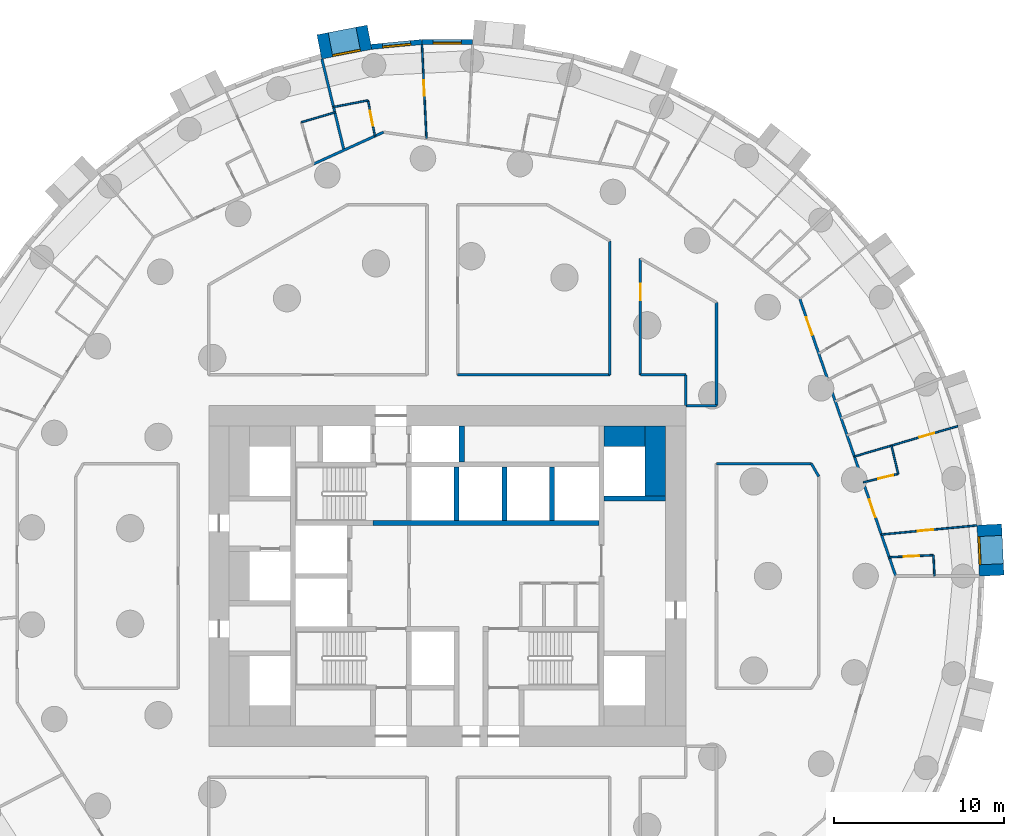
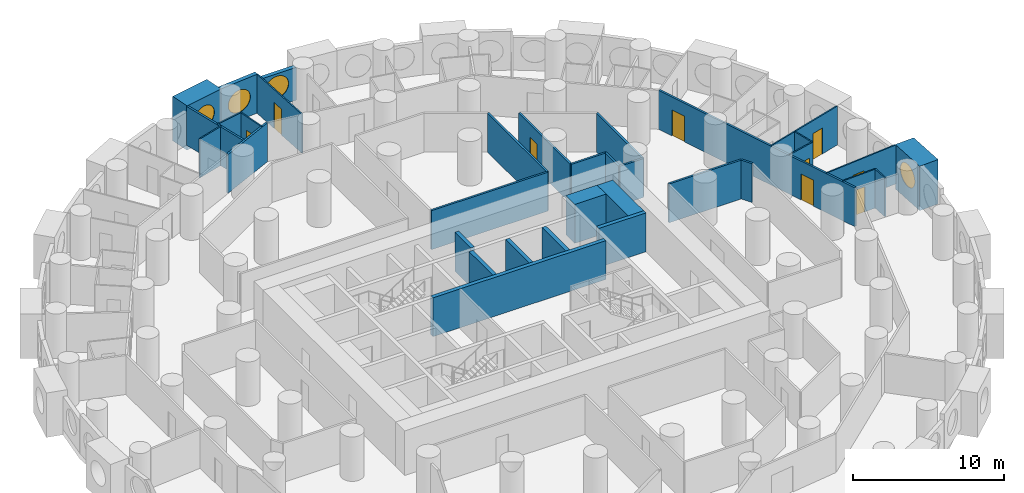
# One storey, part 8 of 12: 35 walls, 9 doors, 4 windows, 13 openings.
"""IFC4 building model written with IfcOpenShell, lengths in metres."""

from ifc_helpers import new_model, si_unit, direction, frame, frame_2d, origin, origin_2d, place, context, subcontext, project, spatial, rectangle, circle, extrude, material, layer, layer_set, type_object, element, fill, save


model = new_model("IFC4")

# Units and contexts
model_context = context("Model", 3, precision=1e-05, world=origin(), true_north=direction((0.0, 1.0)))
body_context = subcontext(model_context, "Body", "Model", "MODEL_VIEW")
ifc_project = project(units=[si_unit("LENGTHUNIT", "METRE"), si_unit("AREAUNIT", "SQUARE_METRE"), si_unit("VOLUMEUNIT", "CUBIC_METRE"), si_unit("PLANEANGLEUNIT", "RADIAN"), si_unit("MASSUNIT", "GRAM", prefix="KILO")], contexts=[model_context])

# Site, building, storey
site_placement = place(None, origin())
site = spatial("IfcSite", under=ifc_project, at=site_placement, CompositionType="ELEMENT")
building_placement = place(site_placement, origin())
building = spatial("IfcBuilding", under=site, at=building_placement, Name="Tracery Tower", CompositionType="ELEMENT")
storey_placement = place(building_placement, frame((0.0, 0.0, 42.60009765625)))
storey = spatial("IfcBuildingStorey", under=building, at=storey_placement, Name="L09", CompositionType="ELEMENT", Elevation=42.60009765625)

# Walls
ifc_material_1 = material(Name="Concrete C60/75", Category="concrete")
ifc_layer_1 = layer(ifc_material_1, 1.199951171875)
ifc_layer_set_1 = layer_set([ifc_layer_1], Name="Core strip wall 1200 C60")
wall_type_1 = type_object("IfcWallType", Name="Core strip wall 1200 C60", PredefinedType="SOLIDWALL", material=ifc_layer_set_1)
wall_1_placement = place(storey_placement, frame((12.199951171875, 4.699951171875, 0.0), z_axis=(0.0, 0.0, 1.0), x_axis=(0.0, 1.0, 0.0)))
element("IfcWall", 1, at=wall_1_placement, inside=storey, type_object=wall_type_1, Name="L09 wing strip +1 4.55", PredefinedType="SOLIDWALL", context=body_context, shape_type="SweptSolid", body=[
    extrude(rectangle(XDim=4.10009765625, YDim=1.199951171875, at=frame_2d((2.050048828125, 0.0))), origin(), (0.0, 0.0, 1.0), 3.14990234375),
])
wall_2_placement = place(storey_placement, frame((9.199951171875, 8.199951171875, 0.0), z_axis=(0.0, 0.0, 1.0), x_axis=(1.0, 0.0, 0.0)))
element("IfcWall", 2, at=wall_2_placement, inside=storey, type_object=wall_type_1, Name="L09 wing corner +1 +8.2", PredefinedType="SOLIDWALL", context=body_context, shape_type="SweptSolid", body=[
    extrude(rectangle(XDim=2.400146484375, YDim=1.199951171875, at=frame_2d((1.2001953125, 0.0))), origin(), (0.0, 0.0, 1.0), 3.14990234375),
])

# Wall, opening, window
ifc_material_2 = material(Name="Precast concrete C50/60", Category="concrete")
ifc_layer_2 = layer(ifc_material_2, 1.449951171875)
ifc_layer_set_2 = layer_set([ifc_layer_2], Name="Deep-set bay unit 3000 x 3600, slab edge 450")
wall_type_2 = type_object("IfcWallType", Name="Deep-set bay unit 3000 x 3600, slab edge 450", PredefinedType="ELEMENTEDWALL", material=ifc_layer_set_2)
wall_3_placement = place(storey_placement, frame((31.94921875, 0.020263671875, -0.4501953125), z_axis=(0.0, 0.0, 1.0), x_axis=(-0.047607680889, 0.998866111509, 0.0)))
wall_3 = element("IfcWall", 3, at=wall_3_placement, inside=storey, type_object=wall_type_2, Name="Deep-set bay unit 1 at L09", PredefinedType="ELEMENTEDWALL", context=body_context, shape_type="SweptSolid", body=[
    extrude(rectangle(XDim=3.0, YDim=1.449951171875, at=frame_2d((1.5, 0.0))), origin(), (0.0, 0.0, 1.0), 3.60009765625),
])
opening_1_placement = place(wall_3_placement, frame((1.5, 0.0, 2.0)))
opening_1 = element("IfcOpeningElement", 4, at=opening_1_placement, cuts=wall_3, Name="Opening WN1", PredefinedType="OPENING", context=body_context, shape_type="SweptSolid", body=[
    extrude(circle(Radius=0.9000244140625, at=origin_2d()), frame((0.0, 0.73486328125, 0.0), z_axis=(0.0, -1.0, 0.0), x_axis=(1.0, 0.0, 0.0)), (0.0, 0.0, 1.0), 1.469970703125),
])
ifc_material_3 = material(Name="Aluminium frame with tinted double glazing", Category="aluminium")
window_type = type_object("IfcWindowType", Name="Round window 1800", PartitioningType="SINGLE_PANEL", PredefinedType="WINDOW", material=ifc_material_3)
window_1_placement = place(opening_1_placement, origin())
window_1 = element("IfcWindow", 5, at=window_1_placement, inside=storey, type_object=window_type, Name="Round window 1 at L09", OverallHeight=1.800048828125, OverallWidth=1.800048828125, PartitioningType="SINGLE_PANEL", PredefinedType="WINDOW", context=body_context, shape_type="SweptSolid", body=[
    extrude(circle(Radius=0.9000244140625, at=origin_2d()), frame((0.0, 0.69482421875, 0.0), z_axis=(0.0, -1.0, 0.0), x_axis=(1.0, 0.0, 0.0)), (0.0, 0.0, 1.0), 0.10009765625),
])
fill(opening_1, window_1)

wall_4_placement = place(storey_placement, frame((-4.56689453125, 31.62109375, -0.4501953125), z_axis=(0.0, 0.0, 1.0), x_axis=(-0.981921602273, -0.189288052949, 0.0)))
wall_4 = element("IfcWall", 6, at=wall_4_placement, inside=storey, type_object=wall_type_2, Name="Deep-set bay unit 19 at L09", PredefinedType="ELEMENTEDWALL", context=body_context, shape_type="SweptSolid", body=[
    extrude(rectangle(XDim=3.0, YDim=1.449951171875, at=frame_2d((1.5, 0.0))), origin(), (0.0, 0.0, 1.0), 3.60009765625),
])
opening_2_placement = place(wall_4_placement, frame((1.5, 0.0, 2.0)))
opening_2 = element("IfcOpeningElement", 7, at=opening_2_placement, cuts=wall_4, Name="Opening WN1", PredefinedType="OPENING", context=body_context, shape_type="SweptSolid", body=[
    extrude(circle(Radius=0.9000244140625, at=origin_2d()), frame((0.0, 0.73486328125, 0.0), z_axis=(0.0, -1.0, 0.0), x_axis=(1.0, 0.0, 0.0)), (0.0, 0.0, 1.0), 1.469970703125),
])
window_2_placement = place(opening_2_placement, origin())
window_2 = element("IfcWindow", 8, at=window_2_placement, inside=storey, type_object=window_type, Name="Round window 19 at L09", OverallHeight=1.800048828125, OverallWidth=1.800048828125, PartitioningType="SINGLE_PANEL", PredefinedType="WINDOW", context=body_context, shape_type="SweptSolid", body=[
    extrude(circle(Radius=0.9000244140625, at=origin_2d()), frame((0.0, 0.69482421875, 0.0), z_axis=(0.0, -1.0, 0.0), x_axis=(1.0, 0.0, 0.0)), (0.0, 0.0, 1.0), 0.10009765625),
])
fill(opening_2, window_2)

ifc_material_4 = material(Name="Precast concrete C50/60", Category="concrete")
ifc_layer_3 = layer(ifc_material_4, 0.300048828125)
ifc_layer_set_3 = layer_set([ifc_layer_3], Name="Facade panel 3000 x 2650")
wall_type_3 = type_object("IfcWallType", Name="Facade panel 3000 x 2650", PredefinedType="SOLIDWALL", material=ifc_layer_set_3)
wall_5_placement = place(storey_placement, frame((1.48681640625, 31.3388671875, 0.0), z_axis=(0.0, 0.0, 1.0), x_axis=(-1.0, 0.0, 0.0)))
wall_5 = element("IfcWall", 9, at=wall_5_placement, inside=storey, type_object=wall_type_3, Name="Facade panel 17 at L09", PredefinedType="SOLIDWALL", context=body_context, shape_type="SweptSolid", body=[
    extrude(rectangle(XDim=2.979736328125, YDim=0.300048828125, at=frame_2d((1.48974609375, 0.0))), origin(), (0.0, 0.0, 1.0), 2.64990234375),
])
opening_3_placement = place(wall_5_placement, frame((1.48974609375, 0.0, 1.5498046875)))
opening_3 = element("IfcOpeningElement", 10, at=opening_3_placement, cuts=wall_5, Name="Opening WN1", PredefinedType="OPENING", context=body_context, shape_type="SweptSolid", body=[
    extrude(circle(Radius=0.9000244140625, at=origin_2d()), frame((0.0, 0.159912109375, 0.0), z_axis=(0.0, -1.0, 0.0), x_axis=(1.0, 0.0, 0.0)), (0.0, 0.0, 1.0), 0.320068359375),
])
window_3_placement = place(opening_3_placement, origin())
window_3 = element("IfcWindow", 11, at=window_3_placement, inside=storey, type_object=window_type, Name="Round window 17 at L09", OverallHeight=1.800048828125, OverallWidth=1.800048828125, PartitioningType="SINGLE_PANEL", PredefinedType="WINDOW", context=body_context, shape_type="SweptSolid", body=[
    extrude(circle(Radius=0.9000244140625, at=origin_2d()), frame((0.0, 0.1201171875, 0.0), z_axis=(0.0, -1.0, 0.0), x_axis=(1.0, 0.0, 0.0)), (0.0, 0.0, 1.0), 0.10009765625),
])
fill(opening_3, window_3)

ifc_material_5 = material(Name="Precast concrete C50/60", Category="concrete")
ifc_layer_4 = layer(ifc_material_5, 0.300048828125)
ifc_layer_set_4 = layer_set([ifc_layer_4], Name="Facade panel 3000 x 3150")
wall_type_4 = type_object("IfcWallType", Name="Facade panel 3000 x 3150", PredefinedType="SOLIDWALL", material=ifc_layer_set_4)
wall_6_placement = place(storey_placement, frame((-1.492919921875, 31.3388671875, 0.0), z_axis=(0.0, 0.0, 1.0), x_axis=(-0.995472611385, -0.095048829468, 0.0)))
wall_6 = element("IfcWall", 12, at=wall_6_placement, inside=storey, type_object=wall_type_4, Name="Facade panel 18 at L09", PredefinedType="SOLIDWALL", context=body_context, shape_type="SweptSolid", body=[
    extrude(rectangle(XDim=2.9794921875, YDim=0.300048828125, at=frame_2d((1.48974609375, 0.0))), origin(), (0.0, 0.0, 1.0), 3.14990234375),
])
opening_4_placement = place(wall_6_placement, frame((1.48974609375, 0.0, 1.5498046875)))
opening_4 = element("IfcOpeningElement", 13, at=opening_4_placement, cuts=wall_6, Name="Opening WN1", PredefinedType="OPENING", context=body_context, shape_type="SweptSolid", body=[
    extrude(circle(Radius=0.9000244140625, at=origin_2d()), frame((0.0, 0.159912109375, 0.0), z_axis=(0.0, -1.0, 0.0), x_axis=(1.0, 0.0, 0.0)), (0.0, 0.0, 1.0), 0.320068359375),
])
window_4_placement = place(opening_4_placement, origin())
window_4 = element("IfcWindow", 14, at=window_4_placement, inside=storey, type_object=window_type, Name="Round window 18 at L09", OverallHeight=1.800048828125, OverallWidth=1.800048828125, PartitioningType="SINGLE_PANEL", PredefinedType="WINDOW", context=body_context, shape_type="SweptSolid", body=[
    extrude(circle(Radius=0.9000244140625, at=origin_2d()), frame((0.0, 0.1201171875, 0.0), z_axis=(0.0, -1.0, 0.0), x_axis=(1.0, 0.0, 0.0)), (0.0, 0.0, 1.0), 0.10009765625),
])
fill(opening_4, window_4)

# Wall, opening, door
ifc_material_6 = material(Name="Plasterboard on steel studs", Category="steel")
ifc_layer_5 = layer(ifc_material_6, 0.10009765625)
ifc_layer_set_5 = layer_set([ifc_layer_5], Name="Partition 100 stud")
wall_type_5 = type_object("IfcWallType", Name="Partition 100 stud", PredefinedType="PARTITIONING", material=ifc_layer_set_5)
wall_7_placement = place(storey_placement, frame((25.47705078125, 2.43310546875, 0.0), z_axis=(0.0, 0.0, 1.0), x_axis=(0.995478505054, 0.094987083206, 0.0)))
wall_7 = element("IfcWall", 15, at=wall_7_placement, inside=storey, type_object=wall_type_5, Name="Stud partition RA2-060", PredefinedType="PARTITIONING", context=body_context, shape_type="SweptSolid", body=[
    extrude(rectangle(XDim=5.63134765625, YDim=0.10009765625, at=frame_2d((2.815673828125, 0.0))), origin(), (0.0, 0.0, 1.0), 3.14990234375),
])
opening_5_placement = place(wall_7_placement, frame((2.1494140625, 0.0, 0.0)))
opening_5 = element("IfcOpeningElement", 16, at=opening_5_placement, cuts=wall_7, Name="Opening RA2-11", PredefinedType="OPENING", context=body_context, shape_type="SweptSolid", body=[
    extrude(rectangle(XDim=0.89990234375, YDim=2.10009765625, at=frame_2d((0.449951171875, 1.050048828125))), frame((0.0, 0.050048828125, 0.0), z_axis=(0.0, -1.0, 0.0), x_axis=(1.0, 0.0, 0.0)), (0.0, 0.0, 1.0), 0.10009765625),
])
ifc_material_7 = material(Name="Timber door leaf", Category="wood")
door_type_1 = type_object("IfcDoorType", Name="Door bedroom 900", OperationType="NOTDEFINED", PredefinedType="DOOR", material=ifc_material_7)
door_1_placement = place(opening_5_placement, origin())
door_1 = element("IfcDoor", 17, at=door_1_placement, inside=storey, type_object=door_type_1, Name="Bedroom door RA2-11", OperationType="SINGLE_SWING_RIGHT", OverallHeight=2.10009765625, OverallWidth=0.89990234375, PredefinedType="DOOR", context=body_context, shape_type="SweptSolid", body=[
    extrude(rectangle(XDim=0.89990234375, YDim=2.10009765625, at=frame_2d((0.449951171875, 1.050048828125))), frame((0.0, 0.02490234375, 0.0), z_axis=(0.0, -1.0, 0.0), x_axis=(1.0, 0.0, 0.0)), (0.0, 0.0, 1.0), 0.050048828125),
])
fill(opening_5, door_1)

wall_8_placement = place(storey_placement, frame((26.06396484375, 7.653076171875, 0.0), z_axis=(0.0, 0.0, 1.0), x_axis=(0.959468862097, 0.281814660134, 0.0)))
wall_8 = element("IfcWall", 18, at=wall_8_placement, inside=storey, type_object=wall_type_5, Name="Stud partition RA2-061", PredefinedType="PARTITIONING", context=body_context, shape_type="SweptSolid", body=[
    extrude(rectangle(XDim=4.0595703125, YDim=0.10009765625, at=frame_2d((2.02978515625, 0.0))), origin(), (0.0, 0.0, 1.0), 3.14990234375),
])
opening_6_placement = place(wall_8_placement, frame((1.718017578125, 0.0, 0.0)))
opening_6 = element("IfcOpeningElement", 19, at=opening_6_placement, cuts=wall_8, Name="Opening RA2-13", PredefinedType="OPENING", context=body_context, shape_type="SweptSolid", body=[
    extrude(rectangle(XDim=0.89990234375, YDim=2.10009765625, at=frame_2d((0.449951171875, 1.050048828125))), frame((0.0, 0.050048828125, 0.0), z_axis=(0.0, -1.0, 0.0), x_axis=(1.0, 0.0, 0.0)), (0.0, 0.0, 1.0), 0.10009765625),
])
door_2_placement = place(opening_6_placement, origin())
door_2 = element("IfcDoor", 20, at=door_2_placement, inside=storey, type_object=door_type_1, Name="Bedroom door RA2-13", OperationType="SINGLE_SWING_RIGHT", OverallHeight=2.10009765625, OverallWidth=0.89990234375, PredefinedType="DOOR", context=body_context, shape_type="SweptSolid", body=[
    extrude(rectangle(XDim=0.89990234375, YDim=2.10009765625, at=frame_2d((0.449951171875, 1.050048828125))), frame((0.0, 0.02490234375, 0.0), z_axis=(0.0, -1.0, 0.0), x_axis=(1.0, 0.0, 0.0)), (0.0, 0.0, 1.0), 0.050048828125),
])
fill(opening_6, door_2)

wall_9_placement = place(storey_placement, frame((-1.486083984375, 31.18896484375, 0.0), z_axis=(0.0, 0.0, 1.0), x_axis=(0.047567255643, -0.998868037426, 0.0)))
wall_9 = element("IfcWall", 21, at=wall_9_placement, inside=storey, type_object=wall_type_5, Name="Stud partition RA2-094", PredefinedType="PARTITIONING", context=body_context, shape_type="SweptSolid", body=[
    extrude(rectangle(XDim=5.50732421875, YDim=0.10009765625, at=frame_2d((2.753662109375, 0.0))), origin(), (0.0, 0.0, 1.0), 3.14990234375),
])
opening_7_placement = place(wall_9_placement, frame((2.09326171875, 0.0, 0.0)))
opening_7 = element("IfcOpeningElement", 22, at=opening_7_placement, cuts=wall_9, Name="Opening RA2-32", PredefinedType="OPENING", context=body_context, shape_type="SweptSolid", body=[
    extrude(rectangle(XDim=0.89990234375, YDim=2.10009765625, at=frame_2d((0.449951171875, 1.050048828125))), frame((0.0, 0.050048828125, 0.0), z_axis=(0.0, -1.0, 0.0), x_axis=(1.0, 0.0, 0.0)), (0.0, 0.0, 1.0), 0.10009765625),
])
door_3_placement = place(opening_7_placement, origin())
door_3 = element("IfcDoor", 23, at=door_3_placement, inside=storey, type_object=door_type_1, Name="Bedroom door RA2-32", OperationType="SINGLE_SWING_RIGHT", OverallHeight=2.10009765625, OverallWidth=0.89990234375, PredefinedType="DOOR", context=body_context, shape_type="SweptSolid", body=[
    extrude(rectangle(XDim=0.89990234375, YDim=2.10009765625, at=frame_2d((0.449951171875, 1.050048828125))), frame((0.0, 0.02490234375, 0.0), z_axis=(0.0, -1.0, 0.0), x_axis=(1.0, 0.0, 0.0)), (0.0, 0.0, 1.0), 0.050048828125),
])
fill(opening_7, door_3)

ifc_material_8 = material(Name="Plasterboard on steel studs", Category="steel")
ifc_layer_6 = layer(ifc_material_8, 0.10009765625)
ifc_layer_set_6 = layer_set([ifc_layer_6], Name="Partition 100 wet wall")
wall_type_6 = type_object("IfcWallType", Name="Partition 100 wet wall", PredefinedType="PARTITIONING", material=ifc_layer_set_6)
wall_10_placement = place(storey_placement, frame((24.416015625, 5.4970703125, 0.0), z_axis=(0.0, 0.0, 1.0), x_axis=(0.971866967279, 0.23553046069, 0.0)))
wall_10 = element("IfcWall", 24, at=wall_10_placement, inside=storey, type_object=wall_type_6, Name="Wet wall RA2-058", PredefinedType="PARTITIONING", context=body_context, shape_type="SweptSolid", body=[
    extrude(rectangle(XDim=2.109375, YDim=0.10009765625, at=frame_2d((1.0546875, 0.0))), origin(), (0.0, 0.0, 1.0), 3.14990234375),
])
opening_8_placement = place(wall_10_placement, frame((0.905029296875, 0.0, 0.0)))
opening_8 = element("IfcOpeningElement", 25, at=opening_8_placement, cuts=wall_10, Name="Opening RA2-10", PredefinedType="OPENING", context=body_context, shape_type="SweptSolid", body=[
    extrude(rectangle(XDim=0.89990234375, YDim=2.0, at=frame_2d((0.449951171875, 1.0))), frame((0.0, 0.050048828125, 0.0), z_axis=(0.0, -1.0, 0.0), x_axis=(1.0, 0.0, 0.0)), (0.0, 0.0, 1.0), 0.10009765625),
])
ifc_material_9 = material(Name="Timber door leaf", Category="wood")
door_type_2 = type_object("IfcDoorType", Name="Door shower room 900", OperationType="NOTDEFINED", PredefinedType="DOOR", material=ifc_material_9)
door_4_placement = place(opening_8_placement, origin())
door_4 = element("IfcDoor", 26, at=door_4_placement, inside=storey, type_object=door_type_2, Name="Shower room door RA2-10", OperationType="SINGLE_SWING_RIGHT", OverallHeight=2.0, OverallWidth=0.89990234375, PredefinedType="DOOR", context=body_context, shape_type="SweptSolid", body=[
    extrude(rectangle(XDim=0.89990234375, YDim=2.0, at=frame_2d((0.449951171875, 1.0))), frame((0.0, 0.02490234375, 0.0), z_axis=(0.0, -1.0, 0.0), x_axis=(1.0, 0.0, 0.0)), (0.0, 0.0, 1.0), 0.050048828125),
])
fill(opening_8, door_4)

# Walls
wall_11_placement = place(storey_placement, frame((26.06396484375, 7.653076171875, 0.0), z_axis=(0.0, 0.0, 1.0), x_axis=(0.235530444604, -0.971866971177, 0.0)))
element("IfcWall", 27, at=wall_11_placement, inside=storey, type_object=wall_type_6, Name="Wet wall RA2-059", PredefinedType="PARTITIONING", context=body_context, shape_type="SweptSolid", body=[
    extrude(rectangle(XDim=1.707275390625, YDim=0.10009765625, at=frame_2d((0.853515625, 0.0))), origin(), (0.0, 0.0, 1.0), 3.14990234375),
])
wall_12_placement = place(storey_placement, frame((23.89111328125, 7.014892578125, 0.0), z_axis=(0.0, 0.0, 1.0), x_axis=(0.959471865828, 0.281804433402, 0.0)))
element("IfcWall", 28, at=wall_12_placement, inside=storey, type_object=wall_type_6, Name="Wet wall RA2-062", PredefinedType="PARTITIONING", context=body_context, shape_type="SweptSolid", body=[
    extrude(rectangle(XDim=2.2646484375, YDim=0.10009765625, at=frame_2d((1.13232421875, 0.0))), origin(), (0.0, 0.0, 1.0), 3.14990234375),
])
wall_13_placement = place(storey_placement, frame((28.532958984375, 1.222900390625, 0.0), z_axis=(0.0, 0.0, 1.0), x_axis=(0.048256750126, -0.99883496438, 0.0)))
element("IfcWall", 29, at=wall_13_placement, inside=storey, type_object=wall_type_6, Name="Wet wall RA2-063", PredefinedType="PARTITIONING", context=body_context, shape_type="SweptSolid", body=[
    extrude(rectangle(XDim=1.224365234375, YDim=0.10009765625, at=frame_2d((0.6123046875, 0.0))), origin(), (0.0, 0.0, 1.0), 3.14990234375),
])

# Wall, opening, door
wall_14_placement = place(storey_placement, frame((25.93798828125, 1.10009765625, 0.0), z_axis=(0.0, 0.0, 1.0), x_axis=(0.998882127028, 0.047270459111, 0.0)))
wall_14 = element("IfcWall", 30, at=wall_14_placement, inside=storey, type_object=wall_type_6, Name="Wet wall RA2-064", PredefinedType="PARTITIONING", context=body_context, shape_type="SweptSolid", body=[
    extrude(rectangle(XDim=2.597900390625, YDim=0.10009765625, at=frame_2d((1.298828125, 0.0))), origin(), (0.0, 0.0, 1.0), 3.14990234375),
])
opening_9_placement = place(wall_14_placement, frame((0.848876953125, 0.0, 0.0)))
opening_9 = element("IfcOpeningElement", 31, at=opening_9_placement, cuts=wall_14, Name="Opening RA2-12", PredefinedType="OPENING", context=body_context, shape_type="SweptSolid", body=[
    extrude(rectangle(XDim=0.89990234375, YDim=2.0400390625, at=frame_2d((0.449951171875, 1.02001953125))), frame((0.0, 0.050048828125, 0.0), z_axis=(0.0, -1.0, 0.0), x_axis=(1.0, 0.0, 0.0)), (0.0, 0.0, 1.0), 0.10009765625),
])
ifc_material_10 = material(Name="Timber door leaf", Category="wood")
door_type_3 = type_object("IfcDoorType", Name="Door en-suite 900", OperationType="NOTDEFINED", PredefinedType="DOOR", material=ifc_material_10)
door_5_placement = place(opening_9_placement, origin())
door_5 = element("IfcDoor", 32, at=door_5_placement, inside=storey, type_object=door_type_3, Name="En-suite door RA2-12", OperationType="SINGLE_SWING_RIGHT", OverallHeight=2.0400390625, OverallWidth=0.89990234375, PredefinedType="DOOR", context=body_context, shape_type="SweptSolid", body=[
    extrude(rectangle(XDim=0.89990234375, YDim=2.0400390625, at=frame_2d((0.449951171875, 1.02001953125))), frame((0.0, 0.02490234375, 0.0), z_axis=(0.0, -1.0, 0.0), x_axis=(1.0, 0.0, 0.0)), (0.0, 0.0, 1.0), 0.050048828125),
])
fill(opening_9, door_5)

wall_15_placement = place(storey_placement, frame((-4.653076171875, 27.9150390625, 0.0), z_axis=(0.0, 0.0, 1.0), x_axis=(0.189463029113, -0.981887855409, 0.0)))
wall_15 = element("IfcWall", 33, at=wall_15_placement, inside=storey, type_object=wall_type_6, Name="Wet wall RA2-098", PredefinedType="PARTITIONING", context=body_context, shape_type="SweptSolid", body=[
    extrude(rectangle(XDim=2.132568359375, YDim=0.10009765625, at=frame_2d((1.06640625, 0.0))), origin(), (0.0, 0.0, 1.0), 3.14990234375),
])
opening_10_placement = place(wall_15_placement, frame((0.61669921875, 0.0, 0.0)))
opening_10 = element("IfcOpeningElement", 34, at=opening_10_placement, cuts=wall_15, Name="Opening RA2-33", PredefinedType="OPENING", context=body_context, shape_type="SweptSolid", body=[
    extrude(rectangle(XDim=0.89990234375, YDim=2.0400390625, at=frame_2d((0.449951171875, 1.02001953125))), frame((0.0, 0.050048828125, 0.0), z_axis=(0.0, -1.0, 0.0), x_axis=(1.0, 0.0, 0.0)), (0.0, 0.0, 1.0), 0.10009765625),
])
door_6_placement = place(opening_10_placement, origin())
door_6 = element("IfcDoor", 35, at=door_6_placement, inside=storey, type_object=door_type_3, Name="En-suite door RA2-33", OperationType="SINGLE_SWING_LEFT", OverallHeight=2.0400390625, OverallWidth=0.89990234375, PredefinedType="DOOR", context=body_context, shape_type="SweptSolid", body=[
    extrude(rectangle(XDim=0.89990234375, YDim=2.0400390625, at=frame_2d((0.449951171875, 1.02001953125))), frame((0.0, 0.02490234375, 0.0), z_axis=(0.0, -1.0, 0.0), x_axis=(1.0, 0.0, 0.0)), (0.0, 0.0, 1.0), 0.050048828125),
])
fill(opening_10, door_6)

# Walls
wall_16_placement = place(storey_placement, frame((-6.677978515625, 27.52490234375, 0.0), z_axis=(0.0, 0.0, 1.0), x_axis=(0.981940520272, 0.18918989045, 0.0)))
element("IfcWall", 36, at=wall_16_placement, inside=storey, type_object=wall_type_6, Name="Wet wall RA2-099", PredefinedType="PARTITIONING", context=body_context, shape_type="SweptSolid", body=[
    extrude(rectangle(XDim=2.062255859375, YDim=0.10009765625, at=frame_2d((1.03125, 0.0))), origin(), (0.0, 0.0, 1.0), 3.14990234375),
])
wall_17_placement = place(storey_placement, frame((-8.56494140625, 26.634033203125, 0.0), z_axis=(0.0, 0.0, 1.0), x_axis=(0.959587452417, 0.281410591777, 0.0)))
element("IfcWall", 37, at=wall_17_placement, inside=storey, type_object=wall_type_6, Name="Wet wall RA2-107", PredefinedType="PARTITIONING", context=body_context, shape_type="SweptSolid", body=[
    extrude(rectangle(XDim=2.046630859375, YDim=0.10009765625, at=frame_2d((1.0234375, 0.0))), origin(), (0.0, 0.0, 1.0), 3.14990234375),
])
ifc_material_11 = material(Name="Plasterboard on steel studs", Category="steel")
ifc_layer_7 = layer(ifc_material_11, 0.14990234375)
ifc_layer_set_7 = layer_set([ifc_layer_7], Name="Partition 150 acoustic unit wall")
wall_type_7 = type_object("IfcWallType", Name="Partition 150 acoustic unit wall", PredefinedType="PARTITIONING", material=ifc_layer_set_7)
wall_18_placement = place(storey_placement, frame((-7.361083984375, 30.343994140625, 0.0), z_axis=(0.0, 0.0, 1.0), x_axis=(0.235488368932, -0.971877167186, 0.0)))
element("IfcWall", 38, at=wall_18_placement, inside=storey, type_object=wall_type_7, Name="Unit wall RA2-100", PredefinedType="PARTITIONING", context=body_context, shape_type="SweptSolid", body=[
    extrude(rectangle(XDim=5.507080078125, YDim=0.14990234375, at=frame_2d((2.75341796875, 0.0))), origin(), (0.0, 0.0, 1.0), 3.14990234375),
])
ifc_material_12 = material(Name="Plasterboard on steel studs", Category="steel")
ifc_layer_8 = layer(ifc_material_12, 0.14990234375)
ifc_layer_set_8 = layer_set([ifc_layer_8], Name="Partition 150 corridor wall")
wall_type_8 = type_object("IfcWallType", Name="Partition 150 corridor wall", PredefinedType="PARTITIONING", material=ifc_layer_set_8)
wall_19_placement = place(storey_placement, frame((0.60400390625, 11.800048828125, 0.0), z_axis=(0.0, 0.0, 1.0), x_axis=(1.0, 0.0, 0.0)))
element("IfcWall", 39, at=wall_19_placement, inside=storey, type_object=wall_type_8, Name="Corridor wall RA2-002", PredefinedType="PARTITIONING", context=body_context, shape_type="SweptSolid", body=[
    extrude(rectangle(XDim=8.93603515625, YDim=0.14990234375, at=frame_2d((4.468017578125, 0.0))), origin(), (0.0, 0.0, 1.0), 3.14990234375),
])
wall_20_placement = place(storey_placement, frame((11.33203125, 11.800048828125, 0.0), z_axis=(0.0, 0.0, 1.0), x_axis=(1.0, 0.0, 0.0)))
element("IfcWall", 40, at=wall_20_placement, inside=storey, type_object=wall_type_8, Name="Corridor wall RA2-003", PredefinedType="PARTITIONING", context=body_context, shape_type="SweptSolid", body=[
    extrude(rectangle(XDim=2.66796875, YDim=0.14990234375, at=frame_2d((1.333984375, 0.0))), origin(), (0.0, 0.0, 1.0), 3.14990234375),
])
for number, where, z_axis, x_axis, name in (
    (41, (14.0, 10.0, 0.0), (0.0, 0.0, 1.0), (0.0, 1.0, 0.0), "Corridor wall RA2-004"),
    (42, (14.0, 10.0, 0.0), (0.0, 0.0, 1.0), (1.0, 0.0, 0.0), "Corridor wall RA2-009"),
):
    element("IfcWall", number, at=place(storey_placement, frame(where, z_axis=z_axis, x_axis=x_axis)), inside=storey, type_object=wall_type_8, Name=name, PredefinedType="PARTITIONING", context=body_context, shape_type="SweptSolid", body=[
        extrude(rectangle(XDim=1.800048828125, YDim=0.14990234375, at=frame_2d((0.89990234375, 0.0))), origin(), (0.0, 0.0, 1.0), 3.14990234375),
    ])
wall_21_placement = place(storey_placement, frame((15.800048828125, 9.99609375, 0.0), z_axis=(0.0, 0.0, 1.0), x_axis=(0.0, 1.0, 0.0)))
element("IfcWall", 43, at=wall_21_placement, inside=storey, type_object=wall_type_8, Name="Corridor wall RA2-013", PredefinedType="PARTITIONING", context=body_context, shape_type="SweptSolid", body=[
    extrude(rectangle(XDim=6.056884765625, YDim=0.14990234375, at=frame_2d((3.0283203125, 0.0))), origin(), (0.0, 0.0, 1.0), 3.14990234375),
])
wall_22_placement = place(storey_placement, frame((21.364013671875, 6.60009765625, 0.0), z_axis=(0.0, 0.0, 1.0), x_axis=(0.500277597875, -0.865865073245, 0.0)))
element("IfcWall", 44, at=wall_22_placement, inside=storey, type_object=wall_type_8, Name="Corridor wall RA2-018", PredefinedType="PARTITIONING", context=body_context, shape_type="SweptSolid", body=[
    extrude(rectangle(XDim=0.87548828125, YDim=0.14990234375, at=frame_2d((0.437744140625, 0.0))), origin(), (0.0, 0.0, 1.0), 3.14990234375),
])
wall_23_placement = place(storey_placement, frame((15.800048828125, 6.60009765625, 0.0), z_axis=(0.0, 0.0, 1.0), x_axis=(1.0, 0.0, 0.0)))
element("IfcWall", 45, at=wall_23_placement, inside=storey, type_object=wall_type_8, Name="Corridor wall RA2-019", PredefinedType="PARTITIONING", context=body_context, shape_type="SweptSolid", body=[
    extrude(rectangle(XDim=5.56396484375, YDim=0.14990234375, at=frame_2d((2.781982421875, 0.0))), origin(), (0.0, 0.0, 1.0), 3.14990234375),
])

# Wall, openings, doors
wall_24_placement = place(storey_placement, frame((20.68896484375, 16.269287109375, 0.0), z_axis=(0.0, 0.0, 1.0), x_axis=(0.327000485361, -0.945024170365, 0.0)))
wall_24 = element("IfcWall", 46, at=wall_24_placement, inside=storey, type_object=wall_type_8, Name="Corridor wall RA2-020", PredefinedType="PARTITIONING", context=body_context, shape_type="SweptSolid", body=[
    extrude(rectangle(XDim=17.216064453125, YDim=0.14990234375, at=frame_2d((8.60791015625, 0.0))), origin(), (0.0, 0.0, 1.0), 3.14990234375),
])
opening_11_placement = place(wall_24_placement, frame((12.4697265625, 0.0, 0.0)))
opening_11 = element("IfcOpeningElement", 47, at=opening_11_placement, cuts=wall_24, Name="Opening RA2-09", PredefinedType="OPENING", context=body_context, shape_type="SweptSolid", body=[
    extrude(rectangle(XDim=1.10009765625, YDim=2.10009765625, at=frame_2d((0.550048828125, 1.050048828125))), frame((0.0, 0.074951171875, 0.0), z_axis=(0.0, -1.0, 0.0), x_axis=(1.0, 0.0, 0.0)), (0.0, 0.0, 1.0), 0.14990234375),
])
opening_12_placement = place(wall_24_placement, frame((1.14794921875, 0.0, 0.0)))
opening_12 = element("IfcOpeningElement", 48, at=opening_12_placement, cuts=wall_24, Name="Opening RA2-15", PredefinedType="OPENING", context=body_context, shape_type="SweptSolid", body=[
    extrude(rectangle(XDim=1.10009765625, YDim=2.10009765625, at=frame_2d((0.550048828125, 1.050048828125))), frame((0.0, 0.074951171875, 0.0), z_axis=(0.0, -1.0, 0.0), x_axis=(1.0, 0.0, 0.0)), (0.0, 0.0, 1.0), 0.14990234375),
])
ifc_material_13 = material(Name="Timber door leaf", Category="wood")
door_type_4 = type_object("IfcDoorType", Name="Door cluster entrance 1100", OperationType="NOTDEFINED", PredefinedType="DOOR", material=ifc_material_13)
door_7_placement = place(opening_11_placement, origin())
door_7 = element("IfcDoor", 49, at=door_7_placement, inside=storey, type_object=door_type_4, Name="Cluster entrance door RA2-09", OperationType="SINGLE_SWING_LEFT", OverallHeight=2.10009765625, OverallWidth=1.10009765625, PredefinedType="DOOR", context=body_context, shape_type="SweptSolid", body=[
    extrude(rectangle(XDim=1.10009765625, YDim=2.10009765625, at=frame_2d((0.550048828125, 1.050048828125))), frame((0.0, 0.02490234375, 0.0), z_axis=(0.0, -1.0, 0.0), x_axis=(1.0, 0.0, 0.0)), (0.0, 0.0, 1.0), 0.050048828125),
])
fill(opening_11, door_7)
door_8_placement = place(opening_12_placement, origin())
door_8 = element("IfcDoor", 50, at=door_8_placement, inside=storey, type_object=door_type_4, Name="Cluster entrance door RA2-15", OperationType="SINGLE_SWING_LEFT", OverallHeight=2.10009765625, OverallWidth=1.10009765625, PredefinedType="DOOR", context=body_context, shape_type="SweptSolid", body=[
    extrude(rectangle(XDim=1.10009765625, YDim=2.10009765625, at=frame_2d((0.550048828125, 1.050048828125))), frame((0.0, 0.02490234375, 0.0), z_axis=(0.0, -1.0, 0.0), x_axis=(1.0, 0.0, 0.0)), (0.0, 0.0, 1.0), 0.050048828125),
])
fill(opening_12, door_8)

# Wall
wall_25_placement = place(storey_placement, frame((9.535888671875, 11.800048828125, 0.0), z_axis=(0.0, 0.0, 1.0), x_axis=(0.0, 1.0, 0.0)))
element("IfcWall", 51, at=wall_25_placement, inside=storey, type_object=wall_type_8, Name="Corridor wall RA2-028", PredefinedType="PARTITIONING", context=body_context, shape_type="SweptSolid", body=[
    extrude(rectangle(XDim=7.868896484375, YDim=0.14990234375, at=frame_2d((3.9345703125, 0.0))), origin(), (0.0, 0.0, 1.0), 3.14990234375),
])

# Wall, opening, door
wall_26_placement = place(storey_placement, frame((11.3359375, 11.800048828125, 0.0), z_axis=(0.0, 0.0, 1.0), x_axis=(0.0, 1.0, 0.0)))
wall_26 = element("IfcWall", 52, at=wall_26_placement, inside=storey, type_object=wall_type_8, Name="Corridor wall RA2-033", PredefinedType="PARTITIONING", context=body_context, shape_type="SweptSolid", body=[
    extrude(rectangle(XDim=6.829833984375, YDim=0.14990234375, at=frame_2d((3.4150390625, 0.0))), origin(), (0.0, 0.0, 1.0), 3.14990234375),
])
opening_13_placement = place(wall_26_placement, frame((4.389892578125, 0.0, 0.0)))
opening_13 = element("IfcOpeningElement", 53, at=opening_13_placement, cuts=wall_26, Name="Opening RA2-03", PredefinedType="OPENING", context=body_context, shape_type="SweptSolid", body=[
    extrude(rectangle(XDim=0.949951171875, YDim=2.10009765625, at=frame_2d((0.47509765625, 1.050048828125))), frame((0.0, 0.074951171875, 0.0), z_axis=(0.0, -1.0, 0.0), x_axis=(1.0, 0.0, 0.0)), (0.0, 0.0, 1.0), 0.14990234375),
])
ifc_material_14 = material(Name="Timber door leaf", Category="wood")
door_type_5 = type_object("IfcDoorType", Name="Door store 950", OperationType="NOTDEFINED", PredefinedType="DOOR", material=ifc_material_14)
door_9_placement = place(opening_13_placement, origin())
door_9 = element("IfcDoor", 54, at=door_9_placement, inside=storey, type_object=door_type_5, Name="Store door RA2-03", OperationType="SINGLE_SWING_LEFT", OverallHeight=2.10009765625, OverallWidth=0.949951171875, PredefinedType="DOOR", context=body_context, shape_type="SweptSolid", body=[
    extrude(rectangle(XDim=0.949951171875, YDim=2.10009765625, at=frame_2d((0.47509765625, 1.050048828125))), frame((0.0, 0.02490234375, 0.0), z_axis=(0.0, -1.0, 0.0), x_axis=(1.0, 0.0, 0.0)), (0.0, 0.0, 1.0), 0.050048828125),
])
fill(opening_13, door_9)

# Walls
wall_27_placement = place(storey_placement, frame((-7.849609375, 24.181396484375, 0.0), z_axis=(0.0, 0.0, 1.0), x_axis=(0.909998999892, 0.414610443906, 0.0)))
element("IfcWall", 55, at=wall_27_placement, inside=storey, type_object=wall_type_8, Name="Corridor wall RA2-035", PredefinedType="PARTITIONING", context=body_context, shape_type="SweptSolid", body=[
    extrude(rectangle(XDim=4.50927734375, YDim=0.14990234375, at=frame_2d((2.254638671875, 0.0))), origin(), (0.0, 0.0, 1.0), 3.14990234375),
])
ifc_material_15 = material(Name="Concrete C60/75", Category="concrete")
ifc_layer_9 = layer(ifc_material_15, 0.300048828125)
ifc_layer_set_9 = layer_set([ifc_layer_9], Name="Shaft wall 300 C60")
wall_type_9 = type_object("IfcWallType", Name="Shaft wall 300 C60", PredefinedType="SOLIDWALL", material=ifc_layer_set_9)
for number, where, z_axis, x_axis, name in (
    (56, (0.550048828125, 3.25, 0.0), (0.0, 0.0, 1.0), (0.0, 1.0, 0.0), "L09 HR sep 1"),
    (57, (3.35009765625, 3.25, 0.0), (0.0, 0.0, 1.0), (0.0, 1.0, 0.0), "L09 HR sep 2"),
    (58, (6.14990234375, 3.25, 0.0), (0.0, 0.0, 1.0), (0.0, 1.0, 0.0), "L09 HR sep 3"),
):
    element("IfcWall", number, at=place(storey_placement, frame(where, z_axis=z_axis, x_axis=x_axis)), inside=storey, type_object=wall_type_9, Name=name, PredefinedType="SOLIDWALL", context=body_context, shape_type="SweptSolid", body=[
        extrude(rectangle(XDim=3.14990234375, YDim=0.300048828125, at=frame_2d((1.574951171875, 0.0))), origin(), (0.0, 0.0, 1.0), 3.14990234375),
    ])
wall_28_placement = place(storey_placement, frame((0.85009765625, 6.699951171875, 0.0), z_axis=(0.0, 0.0, 1.0), x_axis=(0.0, 1.0, 0.0)))
element("IfcWall", 59, at=wall_28_placement, inside=storey, type_object=wall_type_9, Name="L09 LR sep 0.85", PredefinedType="SOLIDWALL", context=body_context, shape_type="SweptSolid", body=[
    extrude(rectangle(XDim=2.10009765625, YDim=0.300048828125, at=frame_2d((1.050048828125, 0.0))), origin(), (0.0, 0.0, 1.0), 3.14990234375),
])
wall_29_placement = place(storey_placement, frame((9.199951171875, 4.550048828125, 0.0), z_axis=(0.0, 0.0, 1.0), x_axis=(1.0, 0.0, 0.0)))
element("IfcWall", 60, at=wall_29_placement, inside=storey, type_object=wall_type_9, Name="L09 wing shaft wall +1 +4.55", PredefinedType="SOLIDWALL", context=body_context, shape_type="SweptSolid", body=[
    extrude(rectangle(XDim=3.60009765625, YDim=0.300048828125, at=frame_2d((1.800048828125, 0.0))), origin(), (0.0, 0.0, 1.0), 3.14990234375),
])
ifc_material_16 = material(Name="Concrete C60/75", Category="concrete")
ifc_layer_10 = layer(ifc_material_16, 0.300048828125)
ifc_layer_set_10 = layer_set([ifc_layer_10], Name="Stair wall 300 C60")
wall_type_10 = type_object("IfcWallType", Name="Stair wall 300 C60", PredefinedType="SOLIDWALL", material=ifc_layer_set_10)
wall_30_placement = place(storey_placement, frame((-4.35009765625, 3.10009765625, 0.0), z_axis=(0.0, 0.0, 1.0), x_axis=(1.0, 0.0, 0.0)))
element("IfcWall", 61, at=wall_30_placement, inside=storey, type_object=wall_type_10, Name="L09 row N", PredefinedType="SOLIDWALL", context=body_context, shape_type="SweptSolid", body=[
    extrude(rectangle(XDim=13.25, YDim=0.300048828125, at=frame_2d((6.625, 0.0))), origin(), (0.0, 0.0, 1.0), 3.14990234375),
])

save(model, "model.ifc")
